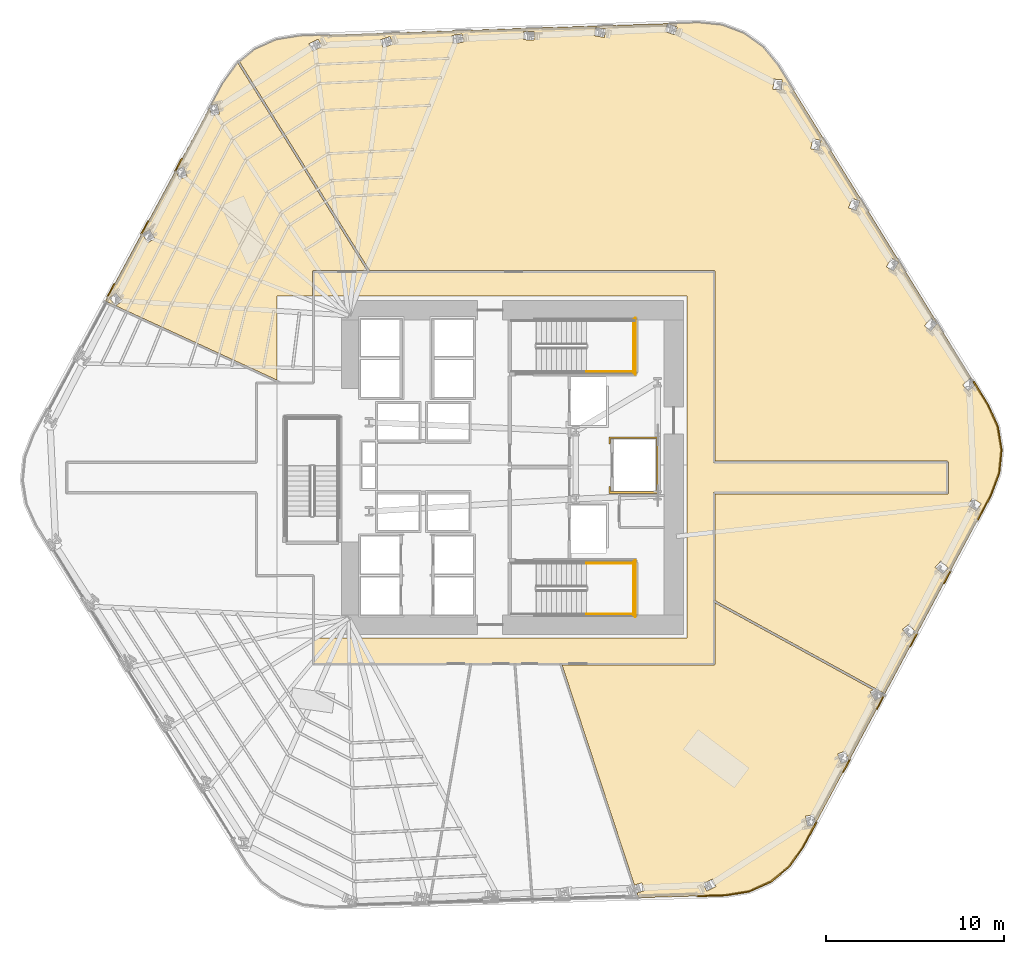
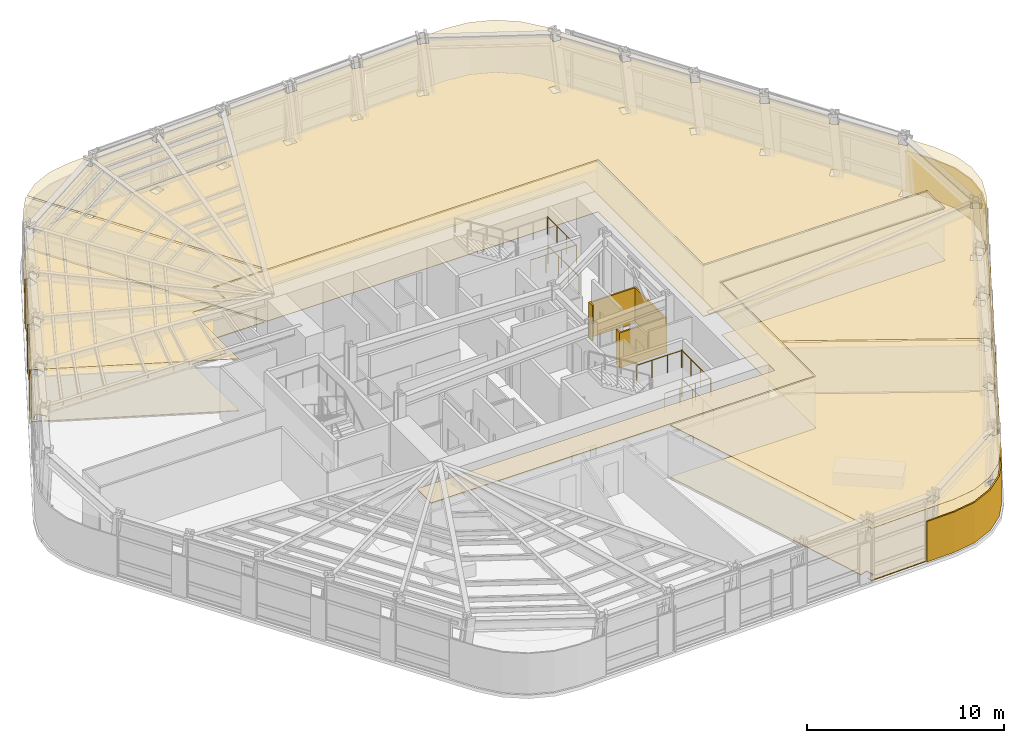
# One storey, part 13 of 15: 17 coverings, 7 railings.
"""IFC4 building model written with IfcOpenShell, lengths in metres."""

from ifc_helpers import new_model, si_unit, direction, frame, origin, origin_2d, place, context, subcontext, project, spatial, polyline, circle, outline, extrude, material, layer, layer_set, type_object, element, save


model = new_model("IFC4")

# Units and contexts
model_context = context("Model", 3, precision=1e-05, world=origin(), true_north=direction((0.0, 1.0)))
body_context = subcontext(model_context, "Body", "Model", "MODEL_VIEW")
ifc_project = project(units=[si_unit("LENGTHUNIT", "METRE"), si_unit("AREAUNIT", "SQUARE_METRE"), si_unit("VOLUMEUNIT", "CUBIC_METRE"), si_unit("PLANEANGLEUNIT", "RADIAN"), si_unit("MASSUNIT", "GRAM", prefix="KILO")], contexts=[model_context])

# Site, building, storey
site_placement = place(None, origin())
site = spatial("IfcSite", under=ifc_project, at=site_placement, CompositionType="ELEMENT")
building_placement = place(site_placement, origin())
building = spatial("IfcBuilding", under=site, at=building_placement, Name="Valkerne Bourse Tower", CompositionType="ELEMENT")
storey_placement = place(building_placement, frame((0.0, 0.0, 31.60009765625)))
storey = spatial("IfcBuildingStorey", under=building, at=storey_placement, Name="L07", CompositionType="ELEMENT", Elevation=31.60009765625)

# Coverings
ifc_material_1 = material(Name="Mineral Fiber Acoustic Ceiling Tile", Category="acoustic")
ifc_layer_1 = layer(ifc_material_1, 0.02490234375)
ifc_layer_set_1 = layer_set([ifc_layer_1], Name="Mineral Fiber Acoustic Ceiling Tile")
covering_type_1 = type_object("IfcCoveringType", Name="COV-CEIL-ACT", PredefinedType="CEILING", material=ifc_layer_set_1)
covering_1_placement = place(storey_placement, frame((0.0, 0.0, 3.22998046875)))
element("IfcCovering", 1, at=covering_1_placement, inside=storey, type_object=covering_type_1, Name="L07 Suspended Ceiling 05", PredefinedType="CEILING", context=body_context, shape_type="SweptSolid", body=[
    extrude(outline(polyline([(31.39599609375, 49.561279296875), (38.64599609375, 37.9189453125), (35.6494140625, 37.9189453125), (35.614013671875, 37.908935546875), (35.587890625, 37.880126953125), (35.5810546875, 37.8505859375), (35.5810546875, 36.5), (33.60009765625, 36.5), (33.60009765625, 31.767578125), (24.55615234375, 35.932373046875), (24.909912109375, 36.2158203125), (24.911376953125, 36.218994140625), (24.54931640625, 36.667236328125), (24.189453125, 36.37939453125), (24.18798828125, 36.3759765625), (24.540283203125, 35.939697265625), (23.963134765625, 36.205322265625), (27.922607421875, 43.557861328125), (28.11279296875, 43.04052734375), (28.546142578125, 43.197509765625), (28.548583984375, 43.2001953125), (28.349609375, 43.7412109375), (27.94189453125, 43.59326171875), (29.809814453125, 47.06201171875), (29.903076171875, 46.608642578125), (30.3544921875, 46.699462890625), (30.357421875, 46.701904296875), (30.2412109375, 47.26611328125), (29.880859375, 47.19384765625), (30.5380859375, 48.41455078125), (31.313720703125, 49.494140625), (31.39599609375, 49.561279296875)]), holes=[polyline([(26.732421875, 39.7041015625), (26.734130859375, 39.70703125), (26.451171875, 40.208984375), (26.048583984375, 39.984375), (26.046875, 39.981201171875), (26.330078125, 39.479248046875), (26.732421875, 39.7041015625)])]), origin(), (0.0, 0.0, 1.0), 0.02490234375),
])
covering_2_placement = place(storey_placement, frame((0.0, 0.0, 3.22998046875)))
element("IfcCovering", 2, at=covering_2_placement, inside=storey, type_object=covering_type_1, Name="L07 Suspended Ceiling 06", PredefinedType="CEILING", context=body_context, shape_type="SweptSolid", body=[
    extrude(outline(polyline([(60.0869140625, 3.08740234375), (58.775634765625, 2.872802734375), (53.880859375, 2.727783203125), (53.793212890625, 2.994140625), (54.21142578125, 3.130615234375), (54.068115234375, 3.570556640625), (54.064697265625, 3.569580078125), (53.648681640625, 3.433837890625), (49.589111328125, 15.781005859375), (58.123779296875, 15.784912109375), (58.156005859375, 15.80908203125), (58.1689453125, 15.849365234375), (58.1689453125, 19.265380859375), (67.04541015625, 14.395263671875), (66.86767578125, 14.2958984375), (66.86572265625, 14.29296875), (67.14892578125, 13.791015625), (67.55126953125, 14.015625), (67.55322265625, 14.018798828125), (67.473388671875, 14.160400390625), (67.637451171875, 14.0703125), (63.80126953125, 6.884521484375), (63.697021484375, 7.391357421875), (63.245361328125, 7.300537109375), (63.242431640625, 7.298095703125), (63.358642578125, 6.73388671875), (63.764404296875, 6.815185546875), (63.08642578125, 5.54541015625), (62.310791015625, 4.46630859375), (61.289794921875, 3.63037109375), (60.0869140625, 3.08740234375)]), holes=[polyline([(58.218994140625, 3.36279296875), (58.01171875, 3.7763671875), (58.00830078125, 3.77490234375), (57.495361328125, 3.517578125), (57.70263671875, 3.10400390625), (57.706298828125, 3.105712890625), (58.218994140625, 3.36279296875)]), polyline([(65.68359375, 10.416015625), (65.685791015625, 10.418701171875), (65.487060546875, 10.95947265625), (65.053955078125, 10.802490234375), (65.051513671875, 10.7998046875), (65.250244140625, 10.2587890625), (65.68359375, 10.416015625)])]), origin(), (0.0, 0.0, 1.0), 0.02490234375),
])
covering_3_placement = place(storey_placement, frame((0.0, 0.0, 3.22998046875)))
element("IfcCovering", 3, at=covering_3_placement, inside=storey, type_object=covering_type_1, Name="L07 Suspended Ceiling 08", PredefinedType="CEILING", context=body_context, shape_type="SweptSolid", body=[
    extrude(outline(polyline([(34.849365234375, 51.087646484375), (57.237060546875, 51.831787109375), (58.559326171875, 51.69970703125), (59.793701171875, 51.233154296875), (60.865478515625, 50.463134765625), (61.70703125, 49.434814453125), (72.666748046875, 31.687255859375), (72.493408203125, 31.88232421875), (72.060791015625, 31.501953125), (72.061279296875, 31.498291015625), (72.367431640625, 31.15380859375), (72.77490234375, 31.511962890625), (73.4765625, 30.3759765625), (74.023681640625, 29.164306640625), (74.23681640625, 27.8623046875), (74.105712890625, 26.54931640625), (73.635986328125, 25.305908203125), (67.693115234375, 14.17431640625), (67.36328125, 14.355224609375), (67.27001953125, 14.520751953125), (67.166748046875, 14.463134765625), (58.1689453125, 19.400146484375), (58.1689453125, 25.381103515625), (71.210205078125, 25.381591796875), (71.251708984375, 25.40380859375), (71.26904296875, 25.44921875), (71.26904296875, 27.15087890625), (71.251220703125, 27.196533203125), (71.22900390625, 27.212646484375), (71.200439453125, 27.218994140625), (58.1689453125, 27.218994140625), (58.1689453125, 37.8505859375), (58.156005859375, 37.890869140625), (58.122802734375, 37.915283203125), (38.784912109375, 37.9189453125), (31.488037109375, 49.63671875), (32.3349609375, 50.329833984375), (33.53759765625, 50.872802734375), (34.849365234375, 51.087646484375)]), holes=[polyline([(35.591796875, 50.22509765625), (36.1044921875, 50.482421875), (35.897216796875, 50.89599609375), (35.893798828125, 50.894287109375), (35.381103515625, 50.63720703125), (35.58837890625, 50.2236328125), (35.591796875, 50.22509765625)]), polyline([(39.535400390625, 50.430419921875), (40.0810546875, 50.6083984375), (39.937744140625, 51.048583984375), (39.93408203125, 51.047607421875), (39.388427734375, 50.869384765625), (39.531982421875, 50.429443359375), (39.535400390625, 50.430419921875)]), polyline([(44.04736328125, 50.733642578125), (43.976806640625, 51.19091796875), (43.97314453125, 51.1904296875), (43.406005859375, 51.1025390625), (43.4765625, 50.645263671875), (43.47998046875, 50.645751953125), (44.04736328125, 50.733642578125)]), polyline([(48.01025390625, 51.324951171875), (48.006591796875, 51.3251953125), (47.4326171875, 51.33203125), (47.427001953125, 50.869384765625), (47.430419921875, 50.869140625), (48.00439453125, 50.8623046875), (48.01025390625, 51.324951171875)]), polyline([(52.034912109375, 51.454345703125), (52.031494140625, 51.455078125), (51.46630859375, 51.55419921875), (51.385986328125, 51.098388671875), (51.3896484375, 51.097900390625), (51.954833984375, 50.99853515625), (52.034912109375, 51.454345703125)]), polyline([(69.41064453125, 17.62060546875), (69.412109375, 17.6240234375), (69.0498046875, 18.072509765625), (68.690185546875, 17.7841796875), (68.688720703125, 17.781005859375), (69.05078125, 17.332763671875), (69.41064453125, 17.62060546875)]), polyline([(71.260009765625, 21.226318359375), (71.2607421875, 21.229736328125), (70.831298828125, 21.614013671875), (70.5224609375, 21.272216796875), (70.521484375, 21.2685546875), (70.951171875, 20.88427734375), (71.260009765625, 21.226318359375)]), polyline([(73.100341796875, 24.831787109375), (72.618408203125, 25.147705078125), (72.364013671875, 24.763671875), (72.363525390625, 24.760009765625), (72.845703125, 24.444091796875), (73.099853515625, 24.827880859375), (73.100341796875, 24.831787109375)]), polyline([(70.642333984375, 34.956787109375), (70.64111328125, 34.960205078125), (70.287109375, 35.25537109375), (69.916259765625, 34.814453125), (69.917236328125, 34.81103515625), (70.271240234375, 34.515869140625), (70.642333984375, 34.956787109375)]), polyline([(68.473388671875, 38.384765625), (68.076416015625, 38.619384765625), (67.78125, 38.12451171875), (67.782958984375, 38.121337890625), (68.1796875, 37.886962890625), (68.47509765625, 38.381591796875), (68.473388671875, 38.384765625)]), polyline([(66.298095703125, 41.8046875), (66.2958984375, 41.8076171875), (65.86572265625, 41.973388671875), (65.656005859375, 41.4365234375), (65.658203125, 41.433837890625), (66.08837890625, 41.26806640625), (66.298095703125, 41.8046875)]), polyline([(64.11328125, 45.221435546875), (64.110595703125, 45.223876953125), (63.659423828125, 45.318359375), (63.538818359375, 44.7548828125), (63.54150390625, 44.75244140625), (63.992431640625, 44.657958984375), (64.11328125, 45.221435546875)]), polyline([(61.921142578125, 48.63134765625), (61.461181640625, 48.6572265625), (61.425537109375, 48.08251953125), (61.4287109375, 48.080078125), (61.888671875, 48.05419921875), (61.92431640625, 48.629150390625), (61.921142578125, 48.63134765625)]), polyline([(56.0498046875, 51.5830078125), (56.046142578125, 51.58447265625), (55.502197265625, 51.7666015625), (55.35498046875, 51.327880859375), (55.358642578125, 51.32666015625), (55.902587890625, 51.144287109375), (56.0498046875, 51.5830078125)])]), origin(), (0.0, 0.0, 1.0), 0.02490234375),
])
ifc_material_2 = material(Name="Bronze Anodised Aluminium AA 6063-T6", Category="aluminium")
ifc_layer_2 = layer(ifc_material_2, 0.030029296875)
ifc_layer_set_2 = layer_set([ifc_layer_2], Name="Bronze Anodised Aluminium AA 6063-T6")
covering_type_2 = type_object("IfcCoveringType", Name="COV-CEIL-METAL", PredefinedType="CEILING", material=ifc_layer_set_2)
covering_4_placement = place(storey_placement, frame((0.0, 0.0, 3.22998046875)))
element("IfcCovering", 4, at=covering_4_placement, inside=storey, type_object=covering_type_2, Name="L07 Suspended Ceiling 01", PredefinedType="CEILING", context=body_context, shape_type="SweptSolid", body=[
    extrude(outline(polyline([(71.196044921875, 27.14599609375), (71.196044921875, 25.4541015625), (58.095947265625, 25.4541015625), (58.095947265625, 15.85400390625), (35.654052734375, 15.85400390625), (35.654052734375, 17.300048828125), (56.60009765625, 17.300048828125), (56.60009765625, 36.5), (35.654052734375, 36.5), (35.654052734375, 37.845947265625), (58.095947265625, 37.845947265625), (58.095947265625, 27.14599609375), (71.196044921875, 27.14599609375)])), origin(), (0.0, 0.0, 1.0), 0.02490234375),
])
ifc_layer_3 = layer(ifc_material_2, 0.06005859375)
ifc_layer_set_3 = layer_set([ifc_layer_3], Name="Bronze Anodised Aluminium AA 6063-T6")
covering_type_3 = type_object("IfcCoveringType", Name="COV-CRN-ALUM", PredefinedType="CLADDING", material=ifc_layer_set_3)
covering_5_placement = place(storey_placement, origin())
element("IfcCovering", 5, at=covering_5_placement, inside=storey, type_object=covering_type_3, Name="L07 Wind-Shaped Corner Aluminium Cladding 01", PredefinedType="CLADDING", context=body_context, shape_type="SweptSolid", body=[
    extrude(outline(polyline([(62.34326171875, 4.435791015625), (61.31298828125, 3.5927734375), (60.099853515625, 3.044921875), (58.77978515625, 2.828857421875), (57.1357421875, 2.7802734375), (57.13330078125, 2.860107421875), (58.772216796875, 2.90869140625), (60.076416015625, 3.122314453125), (61.2705078125, 3.661376953125), (62.284423828125, 4.4912109375), (63.0556640625, 5.564453125), (63.827880859375, 7.0107421875), (63.8984375, 6.972900390625), (63.123779296875, 5.522216796875), (62.34326171875, 4.435791015625)])), origin(), (0.0, 0.0, 1.0), 2.5),
])
covering_6_placement = place(storey_placement, origin())
element("IfcCovering", 6, at=covering_6_placement, inside=storey, type_object=covering_type_3, Name="L07 Wind-Shaped Corner Aluminium Cladding 13", PredefinedType="CLADDING", context=body_context, shape_type="SweptSolid", body=[
    extrude(outline(polyline([(24.4462890625, 37.1953125), (24.516845703125, 37.15771484375), (24.11865234375, 36.41796875), (24.048095703125, 36.455810546875), (24.4462890625, 37.1953125)])), origin(), (0.0, 0.0, 1.0), 2.5),
])
covering_7_placement = place(storey_placement, origin())
element("IfcCovering", 7, at=covering_7_placement, inside=storey, type_object=covering_type_3, Name="L07 Wind-Shaped Corner Aluminium Cladding 14", PredefinedType="CLADDING", context=body_context, shape_type="SweptSolid", body=[
    extrude(outline(polyline([(26.341064453125, 40.713623046875), (26.41162109375, 40.67578125), (26.01318359375, 39.936279296875), (25.94287109375, 39.97412109375), (26.341064453125, 40.713623046875)])), origin(), (0.0, 0.0, 1.0), 2.5),
])
covering_8_placement = place(storey_placement, origin())
element("IfcCovering", 8, at=covering_8_placement, inside=storey, type_object=covering_type_3, Name="L07 Wind-Shaped Corner Aluminium Cladding 15", PredefinedType="CLADDING", context=body_context, shape_type="SweptSolid", body=[
    extrude(outline(polyline([(28.235595703125, 44.23193359375), (28.30615234375, 44.194091796875), (27.907958984375, 43.45458984375), (27.83740234375, 43.492431640625), (28.235595703125, 44.23193359375)])), origin(), (0.0, 0.0, 1.0), 2.5),
])
covering_9_placement = place(storey_placement, origin())
element("IfcCovering", 9, at=covering_9_placement, inside=storey, type_object=covering_type_3, Name="L07 Wind-Shaped Corner Aluminium Cladding 26", PredefinedType="CLADDING", context=body_context, shape_type="SweptSolid", body=[
    extrude(outline(polyline([(73.515380859375, 30.396484375), (74.06591796875, 29.17724609375), (74.281005859375, 27.863525390625), (74.14892578125, 26.5390625), (73.676025390625, 25.28759765625), (72.91259765625, 23.857421875), (72.842041015625, 23.895263671875), (73.60302734375, 25.32080078125), (74.0703125, 26.5576171875), (74.200439453125, 27.861083984375), (73.98876953125, 29.15380859375), (73.444580078125, 30.35888671875), (72.595703125, 31.733642578125), (72.66357421875, 31.77587890625), (73.515380859375, 30.396484375)])), origin(), (0.0, 0.0, 1.0), 2.5),
])
covering_10_placement = place(storey_placement, origin())
element("IfcCovering", 10, at=covering_10_placement, inside=storey, type_object=covering_type_3, Name="L07 Wind-Shaped Corner Aluminium Cladding 27", PredefinedType="CLADDING", context=body_context, shape_type="SweptSolid", body=[
    extrude(outline(polyline([(71.030517578125, 20.33251953125), (70.960205078125, 20.3701171875), (71.355712890625, 21.111083984375), (71.42626953125, 21.073486328125), (71.030517578125, 20.33251953125)])), origin(), (0.0, 0.0, 1.0), 2.5),
])
covering_11_placement = place(storey_placement, origin())
element("IfcCovering", 11, at=covering_11_placement, inside=storey, type_object=covering_type_3, Name="L07 Wind-Shaped Corner Aluminium Cladding 28", PredefinedType="CLADDING", context=body_context, shape_type="SweptSolid", body=[
    extrude(outline(polyline([(69.148681640625, 16.807373046875), (69.078125, 16.84521484375), (69.4736328125, 17.586181640625), (69.544189453125, 17.54833984375), (69.148681640625, 16.807373046875)])), origin(), (0.0, 0.0, 1.0), 2.5),
])
covering_12_placement = place(storey_placement, origin())
element("IfcCovering", 12, at=covering_12_placement, inside=storey, type_object=covering_type_3, Name="L07 Wind-Shaped Corner Aluminium Cladding 29", PredefinedType="CLADDING", context=body_context, shape_type="SweptSolid", body=[
    extrude(outline(polyline([(67.2666015625, 13.2822265625), (67.1962890625, 13.320068359375), (67.591796875, 14.06103515625), (67.662353515625, 14.023193359375), (67.2666015625, 13.2822265625)])), origin(), (0.0, 0.0, 1.0), 2.5),
])
covering_13_placement = place(storey_placement, origin())
element("IfcCovering", 13, at=covering_13_placement, inside=storey, type_object=covering_type_3, Name="L07 Wind-Shaped Corner Aluminium Cladding 30", PredefinedType="CLADDING", context=body_context, shape_type="SweptSolid", body=[
    extrude(outline(polyline([(65.384765625, 9.757080078125), (65.314208984375, 9.794921875), (65.709716796875, 10.535888671875), (65.7802734375, 10.498046875), (65.384765625, 9.757080078125)])), origin(), (0.0, 0.0, 1.0), 2.5),
])
ifc_material_3 = material(Name="Galvanised Painted Steel", Category="steel")
ifc_layer_4 = layer(ifc_material_3, 0.044921875)
ifc_layer_set_4 = layer_set([ifc_layer_4], Name="Galvanised Painted Steel")
covering_type_4 = type_object("IfcCoveringType", Name="COV-FLR-RAF", PredefinedType="FLOORING", material=ifc_layer_set_4)
covering_14_placement = place(storey_placement, origin())
element("IfcCovering", 14, at=covering_14_placement, inside=storey, type_object=covering_type_4, Name="L07 Floor Finish 05", PredefinedType="FLOORING", context=body_context, shape_type="SweptSolid", body=[
    extrude(outline(polyline([(31.39599609375, 49.561279296875), (38.64599609375, 37.9189453125), (35.6494140625, 37.9189453125), (35.614013671875, 37.908935546875), (35.587890625, 37.880126953125), (35.5810546875, 37.8505859375), (35.5810546875, 36.5), (33.60009765625, 36.5), (33.60009765625, 31.767578125), (24.55615234375, 35.932373046875), (24.909912109375, 36.2158203125), (24.911376953125, 36.218994140625), (24.54931640625, 36.667236328125), (24.189453125, 36.37939453125), (24.18798828125, 36.3759765625), (24.540283203125, 35.939697265625), (23.963134765625, 36.205322265625), (27.922607421875, 43.557861328125), (28.11279296875, 43.04052734375), (28.546142578125, 43.197509765625), (28.548583984375, 43.2001953125), (28.349609375, 43.7412109375), (27.94189453125, 43.59326171875), (29.809814453125, 47.06201171875), (29.903076171875, 46.608642578125), (30.3544921875, 46.699462890625), (30.357421875, 46.701904296875), (30.2412109375, 47.26611328125), (29.880859375, 47.19384765625), (30.5380859375, 48.41455078125), (31.313720703125, 49.494140625), (31.39599609375, 49.561279296875)]), holes=[polyline([(26.732421875, 39.7041015625), (26.734130859375, 39.70703125), (26.451171875, 40.208984375), (26.048583984375, 39.984375), (26.046875, 39.981201171875), (26.330078125, 39.479248046875), (26.732421875, 39.7041015625)])]), origin(), (0.0, 0.0, 1.0), 0.044921875),
])
covering_15_placement = place(storey_placement, origin())
element("IfcCovering", 15, at=covering_15_placement, inside=storey, type_object=covering_type_4, Name="L07 Floor Finish 06", PredefinedType="FLOORING", context=body_context, shape_type="SweptSolid", body=[
    extrude(outline(polyline([(60.0869140625, 3.08740234375), (58.775634765625, 2.872802734375), (53.880859375, 2.727783203125), (53.793212890625, 2.994140625), (54.21142578125, 3.130615234375), (54.068115234375, 3.570556640625), (54.064697265625, 3.569580078125), (53.648681640625, 3.433837890625), (49.589111328125, 15.781005859375), (58.123779296875, 15.784912109375), (58.156005859375, 15.80908203125), (58.1689453125, 15.849365234375), (58.1689453125, 19.265380859375), (67.04541015625, 14.395263671875), (66.86767578125, 14.2958984375), (66.86572265625, 14.29296875), (67.14892578125, 13.791015625), (67.55126953125, 14.015625), (67.55322265625, 14.018798828125), (67.473388671875, 14.160400390625), (67.637451171875, 14.0703125), (63.80126953125, 6.884521484375), (63.697021484375, 7.391357421875), (63.245361328125, 7.300537109375), (63.242431640625, 7.298095703125), (63.358642578125, 6.73388671875), (63.764404296875, 6.815185546875), (63.08642578125, 5.54541015625), (62.310791015625, 4.46630859375), (61.289794921875, 3.63037109375), (60.0869140625, 3.08740234375)]), holes=[polyline([(58.218994140625, 3.36279296875), (58.01171875, 3.7763671875), (58.00830078125, 3.77490234375), (57.495361328125, 3.517578125), (57.70263671875, 3.10400390625), (57.706298828125, 3.105712890625), (58.218994140625, 3.36279296875)]), polyline([(65.68359375, 10.416015625), (65.685791015625, 10.418701171875), (65.487060546875, 10.95947265625), (65.053955078125, 10.802490234375), (65.051513671875, 10.7998046875), (65.250244140625, 10.2587890625), (65.68359375, 10.416015625)])]), origin(), (0.0, 0.0, 1.0), 0.044921875),
])
ifc_material_4 = material(Name="Polished Granite Stone", Category="masonry")
ifc_layer_5 = layer(ifc_material_4, 0.030029296875)
ifc_layer_set_5 = layer_set([ifc_layer_5], Name="Polished Granite Stone")
covering_type_5 = type_object("IfcCoveringType", Name="COV-FLR-TERRAZZO", PredefinedType="FLOORING", material=ifc_layer_set_5)
covering_16_placement = place(storey_placement, origin())
element("IfcCovering", 16, at=covering_16_placement, inside=storey, type_object=covering_type_5, Name="L07 Floor Finish 08", PredefinedType="FLOORING", context=body_context, shape_type="SweptSolid", body=[
    extrude(outline(polyline([(34.849365234375, 51.087646484375), (57.237060546875, 51.831787109375), (58.559326171875, 51.69970703125), (59.793701171875, 51.233154296875), (60.865478515625, 50.463134765625), (61.70703125, 49.434814453125), (72.666748046875, 31.687255859375), (72.493408203125, 31.88232421875), (72.060791015625, 31.501953125), (72.061279296875, 31.498291015625), (72.367431640625, 31.15380859375), (72.77490234375, 31.511962890625), (73.4765625, 30.3759765625), (74.023681640625, 29.164306640625), (74.23681640625, 27.8623046875), (74.105712890625, 26.54931640625), (73.635986328125, 25.305908203125), (67.693115234375, 14.17431640625), (67.36328125, 14.355224609375), (67.27001953125, 14.520751953125), (67.166748046875, 14.463134765625), (58.1689453125, 19.400146484375), (58.1689453125, 25.381103515625), (71.210205078125, 25.381591796875), (71.251708984375, 25.40380859375), (71.26904296875, 25.44921875), (71.26904296875, 27.15087890625), (71.251220703125, 27.196533203125), (71.22900390625, 27.212646484375), (71.200439453125, 27.218994140625), (58.1689453125, 27.218994140625), (58.1689453125, 37.8505859375), (58.156005859375, 37.890869140625), (58.122802734375, 37.915283203125), (38.784912109375, 37.9189453125), (31.488037109375, 49.63671875), (32.3349609375, 50.329833984375), (33.53759765625, 50.872802734375), (34.849365234375, 51.087646484375)]), holes=[polyline([(35.591796875, 50.22509765625), (36.1044921875, 50.482421875), (35.897216796875, 50.89599609375), (35.893798828125, 50.894287109375), (35.381103515625, 50.63720703125), (35.58837890625, 50.2236328125), (35.591796875, 50.22509765625)]), polyline([(39.535400390625, 50.430419921875), (40.0810546875, 50.6083984375), (39.937744140625, 51.048583984375), (39.93408203125, 51.047607421875), (39.388427734375, 50.869384765625), (39.531982421875, 50.429443359375), (39.535400390625, 50.430419921875)]), polyline([(44.04736328125, 50.733642578125), (43.976806640625, 51.19091796875), (43.97314453125, 51.1904296875), (43.406005859375, 51.1025390625), (43.4765625, 50.645263671875), (43.47998046875, 50.645751953125), (44.04736328125, 50.733642578125)]), polyline([(48.01025390625, 51.324951171875), (48.006591796875, 51.3251953125), (47.4326171875, 51.33203125), (47.427001953125, 50.869384765625), (47.430419921875, 50.869140625), (48.00439453125, 50.8623046875), (48.01025390625, 51.324951171875)]), polyline([(52.034912109375, 51.454345703125), (52.031494140625, 51.455078125), (51.46630859375, 51.55419921875), (51.385986328125, 51.098388671875), (51.3896484375, 51.097900390625), (51.954833984375, 50.99853515625), (52.034912109375, 51.454345703125)]), polyline([(69.41064453125, 17.62060546875), (69.412109375, 17.6240234375), (69.0498046875, 18.072509765625), (68.690185546875, 17.7841796875), (68.688720703125, 17.781005859375), (69.05078125, 17.332763671875), (69.41064453125, 17.62060546875)]), polyline([(71.260009765625, 21.226318359375), (71.2607421875, 21.229736328125), (70.831298828125, 21.614013671875), (70.5224609375, 21.272216796875), (70.521484375, 21.2685546875), (70.951171875, 20.88427734375), (71.260009765625, 21.226318359375)]), polyline([(73.100341796875, 24.831787109375), (72.618408203125, 25.147705078125), (72.364013671875, 24.763671875), (72.363525390625, 24.760009765625), (72.845703125, 24.444091796875), (73.099853515625, 24.827880859375), (73.100341796875, 24.831787109375)]), polyline([(70.642333984375, 34.956787109375), (70.64111328125, 34.960205078125), (70.287109375, 35.25537109375), (69.916259765625, 34.814453125), (69.917236328125, 34.81103515625), (70.271240234375, 34.515869140625), (70.642333984375, 34.956787109375)]), polyline([(68.473388671875, 38.384765625), (68.076416015625, 38.619384765625), (67.78125, 38.12451171875), (67.782958984375, 38.121337890625), (68.1796875, 37.886962890625), (68.47509765625, 38.381591796875), (68.473388671875, 38.384765625)]), polyline([(66.298095703125, 41.8046875), (66.2958984375, 41.8076171875), (65.86572265625, 41.973388671875), (65.656005859375, 41.4365234375), (65.658203125, 41.433837890625), (66.08837890625, 41.26806640625), (66.298095703125, 41.8046875)]), polyline([(64.11328125, 45.221435546875), (64.110595703125, 45.223876953125), (63.659423828125, 45.318359375), (63.538818359375, 44.7548828125), (63.54150390625, 44.75244140625), (63.992431640625, 44.657958984375), (64.11328125, 45.221435546875)]), polyline([(61.921142578125, 48.63134765625), (61.461181640625, 48.6572265625), (61.425537109375, 48.08251953125), (61.4287109375, 48.080078125), (61.888671875, 48.05419921875), (61.92431640625, 48.629150390625), (61.921142578125, 48.63134765625)]), polyline([(56.0498046875, 51.5830078125), (56.046142578125, 51.58447265625), (55.502197265625, 51.7666015625), (55.35498046875, 51.327880859375), (55.358642578125, 51.32666015625), (55.902587890625, 51.144287109375), (56.0498046875, 51.5830078125)])]), origin(), (0.0, 0.0, 1.0), 0.02978515625),
])
ifc_material_5 = material(Name="Gypsum Shaftwall Liner Board", Category="gypsum")
ifc_layer_6 = layer(ifc_material_5, 0.080078125)
ifc_layer_set_6 = layer_set([ifc_layer_6], Name="Gypsum Shaftwall Liner Board")
covering_type_6 = type_object("IfcCoveringType", Name="COV-SHF-CLAD", PredefinedType="CLADDING", material=ifc_layer_set_6)
covering_17_placement = place(storey_placement, origin())
element("IfcCovering", 17, at=covering_17_placement, inside=storey, type_object=covering_type_6, Name="L07 Hoistway & Riser Shaftwall Liner 08", PredefinedType="CLADDING", context=body_context, shape_type="SweptSolid", body=[
    extrude(outline(polyline([(54.97998046875, 25.419921875), (52.219970703125, 25.419921875), (52.219970703125, 25.81787109375), (52.227783203125, 25.814208984375), (52.269287109375, 25.79931640625), (52.31005859375, 25.789306640625), (52.31005859375, 25.510009765625), (54.889892578125, 25.510009765625), (54.889892578125, 28.489990234375), (52.31005859375, 28.489990234375), (52.31005859375, 28.210693359375), (52.269287109375, 28.20068359375), (52.227783203125, 28.185791015625), (52.219970703125, 28.18212890625), (52.219970703125, 28.580078125), (54.97998046875, 28.580078125), (54.97998046875, 25.419921875)])), origin(), (0.0, 0.0, 1.0), 2.179931640625),
])

# Railings
railing_type = type_object("IfcRailingType", Name="RLG-ST-GUARD-1120", PredefinedType="GUARDRAIL", material=ifc_material_3)
for number, where, name in (
    (18, (50.949951171875, 18.64990234375, 1.89990234375), "L07 ST-1 stair guard 3"),
    (19, (50.949951171875, 21.5, 1.89990234375), "L07 ST-1 stair guard 4"),
):
    element("IfcRailing", number, at=place(storey_placement, frame(where)), inside=storey, type_object=railing_type, Name=name, PredefinedType="GUARDRAIL", context=body_context, shape_type="SweptSolid", body=[
        extrude(circle(Radius=0.02392578125, at=origin_2d()), frame((0.0, 0.0, 1.09619140625), z_axis=(1.0, 0.0, 0.0), x_axis=(0.0, 1.0, 0.0)), (0.0, 0.0, 1.0), 2.699951171875),
        extrude(circle(Radius=0.02099609375, at=origin_2d()), origin(), (0.0, 0.0, 1.0), 1.072021484375),
        extrude(circle(Radius=0.02099609375, at=origin_2d()), frame((0.89990234375, 0.0, 0.0)), (0.0, 0.0, 1.0), 1.072021484375),
        extrude(circle(Radius=0.02099609375, at=origin_2d()), frame((1.800048828125, 0.0, 0.0)), (0.0, 0.0, 1.0), 1.072021484375),
        extrude(circle(Radius=0.02099609375, at=origin_2d()), frame((2.699951171875, 0.0, 0.0)), (0.0, 0.0, 1.0), 1.072021484375),
    ])
railing_1_placement = place(storey_placement, frame((53.60009765625, 18.60009765625, 1.89990234375)))
element("IfcRailing", 20, at=railing_1_placement, inside=storey, type_object=railing_type, Name="L07 ST-1 stair guard 5", PredefinedType="GUARDRAIL", context=body_context, shape_type="SweptSolid", body=[
    extrude(circle(Radius=0.02392578125, at=origin_2d()), frame((0.0, 0.0, 1.09619140625), z_axis=(0.0, 1.0, 0.0), x_axis=(-1.0, 0.0, 0.0)), (0.0, 0.0, 1.0), 2.949951171875),
    extrude(circle(Radius=0.02099609375, at=origin_2d()), origin(), (0.0, 0.0, 1.0), 1.072021484375),
    extrude(circle(Radius=0.02099609375, at=origin_2d()), frame((0.0, 0.9833984375, 0.0)), (0.0, 0.0, 1.0), 1.072021484375),
    extrude(circle(Radius=0.02099609375, at=origin_2d()), frame((0.0, 1.966552734375, 0.0)), (0.0, 0.0, 1.0), 1.072021484375),
    extrude(circle(Radius=0.02099609375, at=origin_2d()), frame((0.0, 2.949951171875, 0.0)), (0.0, 0.0, 1.0), 1.072021484375),
])
railing_2_placement = place(storey_placement, frame((53.699951171875, 18.5, 0.0)))
element("IfcRailing", 21, at=railing_2_placement, inside=storey, type_object=railing_type, Name="L07 ST-1 stair guard 12", PredefinedType="GUARDRAIL", context=body_context, shape_type="SweptSolid", body=[
    extrude(circle(Radius=0.02392578125, at=origin_2d()), frame((0.0, 0.0, 1.09619140625), z_axis=(0.0, 1.0, 0.0), x_axis=(-1.0, 0.0, 0.0)), (0.0, 0.0, 1.0), 3.14990234375),
    extrude(circle(Radius=0.02099609375, at=origin_2d()), origin(), (0.0, 0.0, 1.0), 1.072021484375),
    extrude(circle(Radius=0.02099609375, at=origin_2d()), frame((0.0, 1.050048828125, 0.0)), (0.0, 0.0, 1.0), 1.072021484375),
    extrude(circle(Radius=0.02099609375, at=origin_2d()), frame((0.0, 2.099853515625, 0.0)), (0.0, 0.0, 1.0), 1.072021484375),
    extrude(circle(Radius=0.02099609375, at=origin_2d()), frame((0.0, 3.14990234375, 0.0)), (0.0, 0.0, 1.0), 1.072021484375),
])
railing_3_placement = place(storey_placement, frame((50.949951171875, 32.25, 1.89990234375)))
element("IfcRailing", 22, at=railing_3_placement, inside=storey, type_object=railing_type, Name="L07 ST-2 stair guard 3", PredefinedType="GUARDRAIL", context=body_context, shape_type="SweptSolid", body=[
    extrude(circle(Radius=0.02392578125, at=origin_2d()), frame((0.0, 0.0, 1.09619140625), z_axis=(1.0, 0.0, 0.0), x_axis=(0.0, 1.0, 0.0)), (0.0, 0.0, 1.0), 2.699951171875),
    extrude(circle(Radius=0.02099609375, at=origin_2d()), origin(), (0.0, 0.0, 1.0), 1.072021484375),
    extrude(circle(Radius=0.02099609375, at=origin_2d()), frame((0.89990234375, 0.0, 0.0)), (0.0, 0.0, 1.0), 1.072021484375),
    extrude(circle(Radius=0.02099609375, at=origin_2d()), frame((1.800048828125, 0.0, 0.0)), (0.0, 0.0, 1.0), 1.072021484375),
    extrude(circle(Radius=0.02099609375, at=origin_2d()), frame((2.699951171875, 0.0, 0.0)), (0.0, 0.0, 1.0), 1.072021484375),
])
railing_4_placement = place(storey_placement, frame((53.60009765625, 32.199951171875, 1.89990234375)))
element("IfcRailing", 23, at=railing_4_placement, inside=storey, type_object=railing_type, Name="L07 ST-2 stair guard 5", PredefinedType="GUARDRAIL", context=body_context, shape_type="SweptSolid", body=[
    extrude(circle(Radius=0.02392578125, at=origin_2d()), frame((0.0, 0.0, 1.09619140625), z_axis=(0.0, 1.0, 0.0), x_axis=(-1.0, 0.0, 0.0)), (0.0, 0.0, 1.0), 2.949951171875),
    extrude(circle(Radius=0.02099609375, at=origin_2d()), origin(), (0.0, 0.0, 1.0), 1.072021484375),
    extrude(circle(Radius=0.02099609375, at=origin_2d()), frame((0.0, 0.9833984375, 0.0)), (0.0, 0.0, 1.0), 1.072021484375),
    extrude(circle(Radius=0.02099609375, at=origin_2d()), frame((0.0, 1.966552734375, 0.0)), (0.0, 0.0, 1.0), 1.072021484375),
    extrude(circle(Radius=0.02099609375, at=origin_2d()), frame((0.0, 2.949951171875, 0.0)), (0.0, 0.0, 1.0), 1.072021484375),
])
railing_5_placement = place(storey_placement, frame((53.699951171875, 32.10009765625, 0.0)))
element("IfcRailing", 24, at=railing_5_placement, inside=storey, type_object=railing_type, Name="L07 ST-2 stair guard 12", PredefinedType="GUARDRAIL", context=body_context, shape_type="SweptSolid", body=[
    extrude(circle(Radius=0.02392578125, at=origin_2d()), frame((0.0, 0.0, 1.09619140625), z_axis=(0.0, 1.0, 0.0), x_axis=(-1.0, 0.0, 0.0)), (0.0, 0.0, 1.0), 3.14990234375),
    extrude(circle(Radius=0.02099609375, at=origin_2d()), origin(), (0.0, 0.0, 1.0), 1.072021484375),
    extrude(circle(Radius=0.02099609375, at=origin_2d()), frame((0.0, 1.050048828125, 0.0)), (0.0, 0.0, 1.0), 1.072021484375),
    extrude(circle(Radius=0.02099609375, at=origin_2d()), frame((0.0, 2.099853515625, 0.0)), (0.0, 0.0, 1.0), 1.072021484375),
    extrude(circle(Radius=0.02099609375, at=origin_2d()), frame((0.0, 3.14990234375, 0.0)), (0.0, 0.0, 1.0), 1.072021484375),
])

save(model, "model.ifc")
